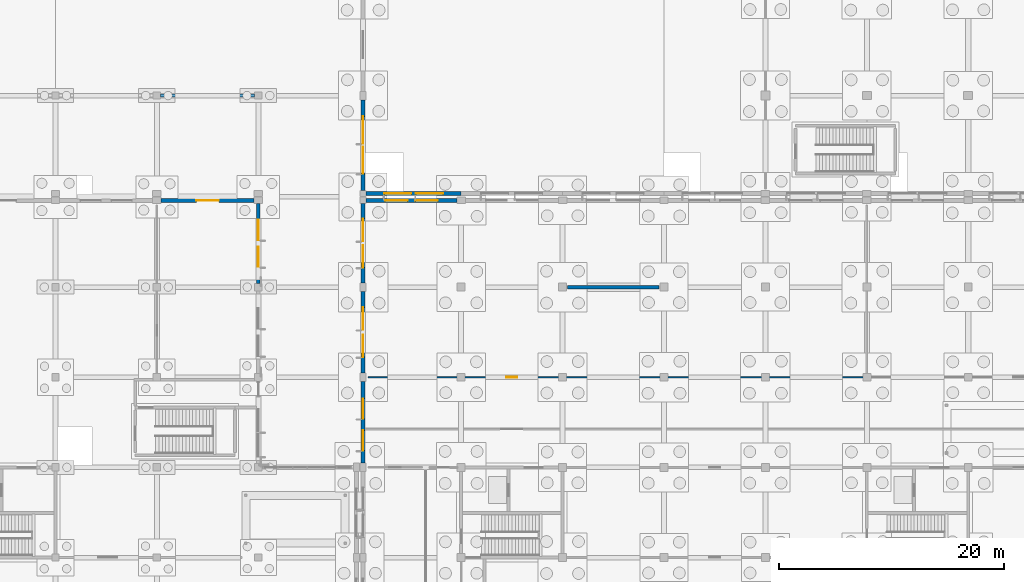
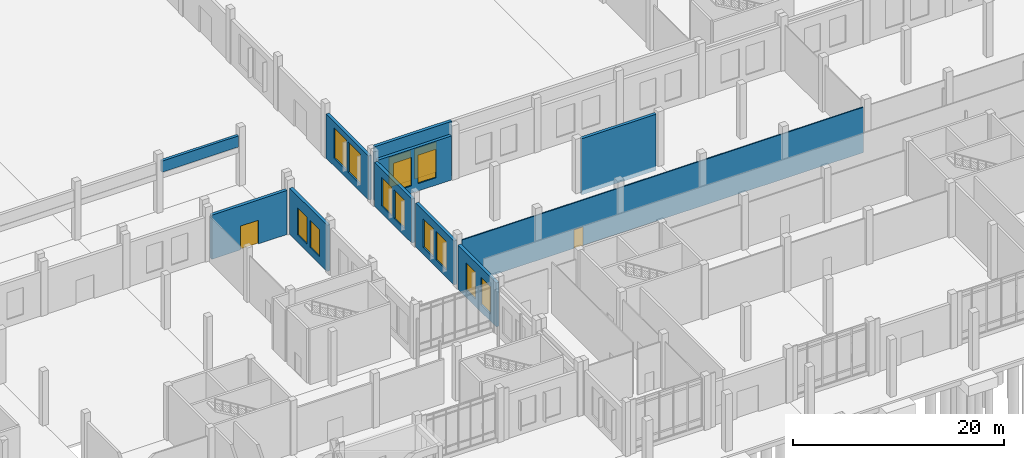
# One storey, part 66 of 99: 14 windows, 11 walls, 2 doors, 16 openings.
"""IFC4 building model written with IfcOpenShell, lengths in metres."""

from ifc_helpers import new_model, si_unit, direction, frame, frame_2d, origin, place, context, subcontext, project, spatial, rectangle, extrude, material, layer, layer_set, type_object, element, fill, save


model = new_model("IFC4")

# Units and contexts
model_context = context("Model", 3, precision=1e-05, world=origin(), true_north=direction((0.0, 1.0)))
body_context = subcontext(model_context, "Body", "Model", "MODEL_VIEW")
ifc_project = project(units=[si_unit("LENGTHUNIT", "METRE"), si_unit("AREAUNIT", "SQUARE_METRE"), si_unit("VOLUMEUNIT", "CUBIC_METRE"), si_unit("PLANEANGLEUNIT", "RADIAN"), si_unit("MASSUNIT", "GRAM", prefix="KILO")], contexts=[model_context])

# Site, building, storey
site_placement = place(None, origin())
site = spatial("IfcSite", under=ifc_project, at=site_placement, CompositionType="ELEMENT")
building_placement = place(site_placement, origin())
building = spatial("IfcBuilding", under=site, at=building_placement, Name="Zacnel Wholesale Market", CompositionType="ELEMENT")
storey_placement = place(building_placement, origin())
storey = spatial("IfcBuildingStorey", under=building, at=storey_placement, Name="L01", CompositionType="ELEMENT", Elevation=0.0)

# Wall
ifc_material_1 = material(Name="Precast concrete C40/50 (Cancun limestone aggregate)", Category="masonry")
ifc_layer_1 = layer(ifc_material_1, 0.300048828125)
ifc_layer_set_1 = layer_set([ifc_layer_1], Name="Precast concrete C40/50 (Cancun limestone aggregate)")
wall_type_1 = type_object("IfcWallType", Name="WL-EXT-LIME-300", PredefinedType="SOLIDWALL", material=ifc_layer_set_1)
wall_1_placement = place(storey_placement, frame((126.324951171875, 57.0, 4.449951171875), z_axis=(0.0, 0.0, 1.0), x_axis=(1.0, 0.0, 0.0)))
element("IfcWall", 1, at=wall_1_placement, inside=storey, type_object=wall_type_1, Name="Auction portico limestone architrave 06", PredefinedType="SOLIDWALL", context=body_context, shape_type="SweptSolid", body=[
    extrude(rectangle(XDim=8.35009765625, YDim=0.300048828125, at=frame_2d((4.175048828125, 0.0))), origin(), (0.0, 0.0, 1.0), 1.2900390625),
])

# Wall, opening, door
ifc_material_2 = material(Name="Precast concrete C40/50 (Cancun limestone aggregate)", Category="masonry")
ifc_layer_2 = layer(ifc_material_2, 0.340087890625)
ifc_layer_set_2 = layer_set([ifc_layer_2], Name="Precast concrete C40/50 (Cancun limestone aggregate)")
wall_type_2 = type_object("IfcWallType", Name="WL-EXT-LIME-340", PredefinedType="SOLIDWALL", material=ifc_layer_set_2)
wall_2_placement = place(storey_placement, frame((126.375, 47.699951171875, 0.0), z_axis=(0.0, 0.0, 1.0), x_axis=(1.0, 0.0, 0.0)))
wall_2 = element("IfcWall", 2, at=wall_2_placement, inside=storey, type_object=wall_type_2, Name="Exterior wall L01-0093", PredefinedType="SOLIDWALL", context=body_context, shape_type="SweptSolid", body=[
    extrude(rectangle(XDim=8.25, YDim=0.340087890625, at=frame_2d((4.125, 0.0))), origin(), (0.0, 0.0, 1.0), 5.10009765625),
])
opening_1_placement = place(wall_2_placement, frame((3.125, 0.0, 0.0)))
opening_1 = element("IfcOpeningElement", 3, at=opening_1_placement, cuts=wall_2, Name="Opening ED-02", PredefinedType="OPENING", context=body_context, shape_type="SweptSolid", body=[
    extrude(rectangle(XDim=2.0, YDim=2.75, at=frame_2d((1.0, 1.375))), frame((0.0, 0.179931640625, 0.0), z_axis=(0.0, -1.0, 0.0), x_axis=(1.0, 0.0, 0.0)), (0.0, 0.0, 1.0), 0.360107421875),
])
ifc_material_3 = material(Name="Anodised aluminium", Category="aluminium")
door_type_1 = type_object("IfcDoorType", Name="DR-EXT-PORTAL-2000", OperationType="NOTDEFINED", PredefinedType="DOOR", material=ifc_material_3)
door_1_placement = place(opening_1_placement, origin())
door_1 = element("IfcDoor", 4, at=door_1_placement, inside=storey, type_object=door_type_1, Name="Auction pavilion colonnade portal 025", OperationType="DOUBLE_DOOR_SINGLE_SWING", OverallHeight=2.75, OverallWidth=2.0, PredefinedType="DOOR", context=body_context, shape_type="SweptSolid", body=[
    extrude(rectangle(XDim=2.0, YDim=2.75, at=frame_2d((1.0, 1.375))), frame((0.0, 0.02490234375, 0.0), z_axis=(0.0, -1.0, 0.0), x_axis=(1.0, 0.0, 0.0)), (0.0, 0.0, 1.0), 0.050048828125),
])
fill(opening_1, door_1)

# Wall, openings, windows
wall_3_placement = place(storey_placement, frame((135.0, 40.324951171875, 0.0), z_axis=(0.0, 0.0, 1.0), x_axis=(0.0, 1.0, 0.0)))
wall_3 = element("IfcWall", 5, at=wall_3_placement, inside=storey, type_object=wall_type_2, Name="Exterior wall L01-0099", PredefinedType="SOLIDWALL", context=body_context, shape_type="SweptSolid", body=[
    extrude(rectangle(XDim=7.10009765625, YDim=0.340087890625, at=frame_2d((3.550048828125, 0.0))), origin(), (0.0, 0.0, 1.0), 5.35009765625),
])
opening_2_placement = place(wall_3_placement, frame((1.467041015625, 0.0, 0.85009765625)))
opening_2 = element("IfcOpeningElement", 6, at=opening_2_placement, cuts=wall_3, Name="Opening W-03", PredefinedType="OPENING", context=body_context, shape_type="SweptSolid", body=[
    extrude(rectangle(XDim=1.800048828125, YDim=3.14990234375, at=frame_2d((0.89990234375, 1.574951171875))), frame((0.0, 0.179931640625, 0.0), z_axis=(0.0, -1.0, 0.0), x_axis=(1.0, 0.0, 0.0)), (0.0, 0.0, 1.0), 0.360107421875),
])
opening_3_placement = place(wall_3_placement, frame((3.8330078125, 0.0, 0.85009765625)))
opening_3 = element("IfcOpeningElement", 7, at=opening_3_placement, cuts=wall_3, Name="Opening W-03", PredefinedType="OPENING", context=body_context, shape_type="SweptSolid", body=[
    extrude(rectangle(XDim=1.800048828125, YDim=3.14990234375, at=frame_2d((0.89990234375, 1.574951171875))), frame((0.0, 0.179931640625, 0.0), z_axis=(0.0, -1.0, 0.0), x_axis=(1.0, 0.0, 0.0)), (0.0, 0.0, 1.0), 0.360107421875),
])
ifc_material_4 = material(Name="Laminated hurricane-impact low-E insulated glass", Category="glass")
window_type_1 = type_object("IfcWindowType", Name="WIN-DEC-1800X3150", PartitioningType="DOUBLE_PANEL_VERTICAL", PredefinedType="WINDOW", material=ifc_material_4)
window_1_placement = place(opening_2_placement, origin())
window_1 = element("IfcWindow", 8, at=window_1_placement, inside=storey, type_object=window_type_1, Name="Window L01-0088", OverallHeight=3.14990234375, OverallWidth=1.800048828125, PartitioningType="DOUBLE_PANEL_VERTICAL", PredefinedType="WINDOW", context=body_context, shape_type="SweptSolid", body=[
    extrude(rectangle(XDim=1.800048828125, YDim=3.14990234375, at=frame_2d((0.89990234375, 1.574951171875))), frame((0.0, 0.030029296875, 0.0), z_axis=(0.0, -1.0, 0.0), x_axis=(1.0, 0.0, 0.0)), (0.0, 0.0, 1.0), 0.06005859375),
])
fill(opening_2, window_1)
window_2_placement = place(opening_3_placement, origin())
window_2 = element("IfcWindow", 9, at=window_2_placement, inside=storey, type_object=window_type_1, Name="Window L01-0089", OverallHeight=3.14990234375, OverallWidth=1.800048828125, PartitioningType="DOUBLE_PANEL_VERTICAL", PredefinedType="WINDOW", context=body_context, shape_type="SweptSolid", body=[
    extrude(rectangle(XDim=1.800048828125, YDim=3.14990234375, at=frame_2d((0.89990234375, 1.574951171875))), frame((0.0, 0.030029296875, 0.0), z_axis=(0.0, -1.0, 0.0), x_axis=(1.0, 0.0, 0.0)), (0.0, 0.0, 1.0), 0.06005859375),
])
fill(opening_3, window_2)

wall_4_placement = place(storey_placement, frame((144.574951171875, 47.699951171875, 0.0), z_axis=(0.0, 0.0, 1.0), x_axis=(1.0, 0.0, 0.0)))
wall_4 = element("IfcWall", 10, at=wall_4_placement, inside=storey, type_object=wall_type_2, Name="Exterior wall L01-0104", PredefinedType="SOLIDWALL", context=body_context, shape_type="SweptSolid", body=[
    extrude(rectangle(XDim=8.050048828125, YDim=0.340087890625, at=frame_2d((4.02490234375, 0.0))), origin(), (0.0, 0.0, 1.0), 5.10009765625),
])
opening_4_placement = place(wall_4_placement, frame((1.68310546875, 0.0, 0.85009765625)))
opening_4 = element("IfcOpeningElement", 11, at=opening_4_placement, cuts=wall_4, Name="Opening W-02", PredefinedType="OPENING", context=body_context, shape_type="SweptSolid", body=[
    extrude(rectangle(XDim=2.0, YDim=3.300048828125, at=frame_2d((1.0, 1.64990234375))), frame((0.0, 0.179931640625, 0.0), z_axis=(0.0, -1.0, 0.0), x_axis=(1.0, 0.0, 0.0)), (0.0, 0.0, 1.0), 0.360107421875),
])
opening_5_placement = place(wall_4_placement, frame((4.366943359375, 0.0, 0.85009765625)))
opening_5 = element("IfcOpeningElement", 12, at=opening_5_placement, cuts=wall_4, Name="Opening W-02", PredefinedType="OPENING", context=body_context, shape_type="SweptSolid", body=[
    extrude(rectangle(XDim=2.0, YDim=3.300048828125, at=frame_2d((1.0, 1.64990234375))), frame((0.0, 0.179931640625, 0.0), z_axis=(0.0, -1.0, 0.0), x_axis=(1.0, 0.0, 0.0)), (0.0, 0.0, 1.0), 0.360107421875),
])
ifc_material_5 = material(Name="Laminated hurricane-impact low-E insulated glass", Category="glass")
window_type_2 = type_object("IfcWindowType", Name="WIN-DEC-2000X3300", PartitioningType="DOUBLE_PANEL_VERTICAL", PredefinedType="WINDOW", material=ifc_material_5)
window_3_placement = place(opening_4_placement, origin())
window_3 = element("IfcWindow", 13, at=window_3_placement, inside=storey, type_object=window_type_2, Name="Window L01-0090", OverallHeight=3.300048828125, OverallWidth=2.0, PartitioningType="DOUBLE_PANEL_VERTICAL", PredefinedType="WINDOW", context=body_context, shape_type="SweptSolid", body=[
    extrude(rectangle(XDim=2.0, YDim=3.300048828125, at=frame_2d((1.0, 1.64990234375))), frame((0.0, 0.030029296875, 0.0), z_axis=(0.0, -1.0, 0.0), x_axis=(1.0, 0.0, 0.0)), (0.0, 0.0, 1.0), 0.06005859375),
])
fill(opening_4, window_3)
window_4_placement = place(opening_5_placement, origin())
window_4 = element("IfcWindow", 14, at=window_4_placement, inside=storey, type_object=window_type_2, Name="Window L01-0091", OverallHeight=3.300048828125, OverallWidth=2.0, PartitioningType="DOUBLE_PANEL_VERTICAL", PredefinedType="WINDOW", context=body_context, shape_type="SweptSolid", body=[
    extrude(rectangle(XDim=2.0, YDim=3.300048828125, at=frame_2d((1.0, 1.64990234375))), frame((0.0, 0.030029296875, 0.0), z_axis=(0.0, -1.0, 0.0), x_axis=(1.0, 0.0, 0.0)), (0.0, 0.0, 1.0), 0.06005859375),
])
fill(opening_5, window_4)

wall_5_placement = place(storey_placement, frame((144.300048828125, 24.375, 0.0), z_axis=(0.0, 0.0, 1.0), x_axis=(0.0, 1.0, 0.0)))
wall_5 = element("IfcWall", 15, at=wall_5_placement, inside=storey, type_object=wall_type_2, Name="Exterior wall L01-0115", PredefinedType="SOLIDWALL", context=body_context, shape_type="SweptSolid", body=[
    extrude(rectangle(XDim=7.25, YDim=0.340087890625, at=frame_2d((3.625, 0.0))), origin(), (0.0, 0.0, 1.0), 5.10009765625),
])
opening_6_placement = place(wall_5_placement, frame((1.112060546875, 0.0, 0.85009765625)))
opening_6 = element("IfcOpeningElement", 16, at=opening_6_placement, cuts=wall_5, Name="Opening W-03", PredefinedType="OPENING", context=body_context, shape_type="SweptSolid", body=[
    extrude(rectangle(XDim=1.800048828125, YDim=3.14990234375, at=frame_2d((0.89990234375, 1.574951171875))), frame((0.0, 0.179931640625, 0.0), z_axis=(0.0, -1.0, 0.0), x_axis=(1.0, 0.0, 0.0)), (0.0, 0.0, 1.0), 0.360107421875),
])
opening_7_placement = place(wall_5_placement, frame((3.93310546875, 0.0, 0.85009765625)))
opening_7 = element("IfcOpeningElement", 17, at=opening_7_placement, cuts=wall_5, Name="Opening W-03", PredefinedType="OPENING", context=body_context, shape_type="SweptSolid", body=[
    extrude(rectangle(XDim=1.800048828125, YDim=3.14990234375, at=frame_2d((0.89990234375, 1.574951171875))), frame((0.0, 0.179931640625, 0.0), z_axis=(0.0, -1.0, 0.0), x_axis=(1.0, 0.0, 0.0)), (0.0, 0.0, 1.0), 0.360107421875),
])
window_5_placement = place(opening_6_placement, origin())
window_5 = element("IfcWindow", 18, at=window_5_placement, inside=storey, type_object=window_type_1, Name="Window L01-0112", OverallHeight=3.14990234375, OverallWidth=1.800048828125, PartitioningType="DOUBLE_PANEL_VERTICAL", PredefinedType="WINDOW", context=body_context, shape_type="SweptSolid", body=[
    extrude(rectangle(XDim=1.800048828125, YDim=3.14990234375, at=frame_2d((0.89990234375, 1.574951171875))), frame((0.0, 0.030029296875, 0.0), z_axis=(0.0, -1.0, 0.0), x_axis=(1.0, 0.0, 0.0)), (0.0, 0.0, 1.0), 0.06005859375),
])
fill(opening_6, window_5)
window_6_placement = place(opening_7_placement, origin())
window_6 = element("IfcWindow", 19, at=window_6_placement, inside=storey, type_object=window_type_1, Name="Window L01-0113", OverallHeight=3.14990234375, OverallWidth=1.800048828125, PartitioningType="DOUBLE_PANEL_VERTICAL", PredefinedType="WINDOW", context=body_context, shape_type="SweptSolid", body=[
    extrude(rectangle(XDim=1.800048828125, YDim=3.14990234375, at=frame_2d((0.89990234375, 1.574951171875))), frame((0.0, 0.030029296875, 0.0), z_axis=(0.0, -1.0, 0.0), x_axis=(1.0, 0.0, 0.0)), (0.0, 0.0, 1.0), 0.06005859375),
])
fill(opening_7, window_6)

wall_6_placement = place(storey_placement, frame((144.300048828125, 32.375, 0.0), z_axis=(0.0, 0.0, 1.0), x_axis=(0.0, 1.0, 0.0)))
wall_6 = element("IfcWall", 20, at=wall_6_placement, inside=storey, type_object=wall_type_2, Name="Exterior wall L01-0116", PredefinedType="SOLIDWALL", context=body_context, shape_type="SweptSolid", body=[
    extrude(rectangle(XDim=7.25, YDim=0.340087890625, at=frame_2d((3.625, 0.0))), origin(), (0.0, 0.0, 1.0), 5.10009765625),
])
opening_8_placement = place(wall_6_placement, frame((1.4169921875, 0.0, 0.85009765625)))
opening_8 = element("IfcOpeningElement", 21, at=opening_8_placement, cuts=wall_6, Name="Opening W-02", PredefinedType="OPENING", context=body_context, shape_type="SweptSolid", body=[
    extrude(rectangle(XDim=2.0, YDim=3.300048828125, at=frame_2d((1.0, 1.64990234375))), frame((0.0, 0.179931640625, 0.0), z_axis=(0.0, -1.0, 0.0), x_axis=(1.0, 0.0, 0.0)), (0.0, 0.0, 1.0), 0.360107421875),
])
opening_9_placement = place(wall_6_placement, frame((3.8330078125, 0.0, 0.85009765625)))
opening_9 = element("IfcOpeningElement", 22, at=opening_9_placement, cuts=wall_6, Name="Opening W-02", PredefinedType="OPENING", context=body_context, shape_type="SweptSolid", body=[
    extrude(rectangle(XDim=2.0, YDim=3.300048828125, at=frame_2d((1.0, 1.64990234375))), frame((0.0, 0.179931640625, 0.0), z_axis=(0.0, -1.0, 0.0), x_axis=(1.0, 0.0, 0.0)), (0.0, 0.0, 1.0), 0.360107421875),
])
window_7_placement = place(opening_8_placement, origin())
window_7 = element("IfcWindow", 23, at=window_7_placement, inside=storey, type_object=window_type_2, Name="Window L01-0114", OverallHeight=3.300048828125, OverallWidth=2.0, PartitioningType="DOUBLE_PANEL_VERTICAL", PredefinedType="WINDOW", context=body_context, shape_type="SweptSolid", body=[
    extrude(rectangle(XDim=2.0, YDim=3.300048828125, at=frame_2d((1.0, 1.64990234375))), frame((0.0, 0.030029296875, 0.0), z_axis=(0.0, -1.0, 0.0), x_axis=(1.0, 0.0, 0.0)), (0.0, 0.0, 1.0), 0.06005859375),
])
fill(opening_8, window_7)
window_8_placement = place(opening_9_placement, origin())
window_8 = element("IfcWindow", 24, at=window_8_placement, inside=storey, type_object=window_type_2, Name="Window L01-0115", OverallHeight=3.300048828125, OverallWidth=2.0, PartitioningType="DOUBLE_PANEL_VERTICAL", PredefinedType="WINDOW", context=body_context, shape_type="SweptSolid", body=[
    extrude(rectangle(XDim=2.0, YDim=3.300048828125, at=frame_2d((1.0, 1.64990234375))), frame((0.0, 0.030029296875, 0.0), z_axis=(0.0, -1.0, 0.0), x_axis=(1.0, 0.0, 0.0)), (0.0, 0.0, 1.0), 0.06005859375),
])
fill(opening_9, window_8)

wall_7_placement = place(storey_placement, frame((144.300048828125, 40.375, 0.0), z_axis=(0.0, 0.0, 1.0), x_axis=(0.0, 1.0, 0.0)))
wall_7 = element("IfcWall", 25, at=wall_7_placement, inside=storey, type_object=wall_type_2, Name="Exterior wall L01-0117", PredefinedType="SOLIDWALL", context=body_context, shape_type="SweptSolid", body=[
    extrude(rectangle(XDim=7.050048828125, YDim=0.340087890625, at=frame_2d((3.52490234375, 0.0))), origin(), (0.0, 0.0, 1.0), 5.10009765625),
])
opening_10_placement = place(wall_7_placement, frame((1.35009765625, 0.0, 0.85009765625)))
opening_10 = element("IfcOpeningElement", 26, at=opening_10_placement, cuts=wall_7, Name="Opening W-02", PredefinedType="OPENING", context=body_context, shape_type="SweptSolid", body=[
    extrude(rectangle(XDim=2.0, YDim=3.300048828125, at=frame_2d((1.0, 1.64990234375))), frame((0.0, 0.179931640625, 0.0), z_axis=(0.0, -1.0, 0.0), x_axis=(1.0, 0.0, 0.0)), (0.0, 0.0, 1.0), 0.360107421875),
])
opening_11_placement = place(wall_7_placement, frame((3.699951171875, 0.0, 0.85009765625)))
opening_11 = element("IfcOpeningElement", 27, at=opening_11_placement, cuts=wall_7, Name="Opening W-02", PredefinedType="OPENING", context=body_context, shape_type="SweptSolid", body=[
    extrude(rectangle(XDim=2.0, YDim=3.300048828125, at=frame_2d((1.0, 1.64990234375))), frame((0.0, 0.179931640625, 0.0), z_axis=(0.0, -1.0, 0.0), x_axis=(1.0, 0.0, 0.0)), (0.0, 0.0, 1.0), 0.360107421875),
])
window_9_placement = place(opening_10_placement, origin())
window_9 = element("IfcWindow", 28, at=window_9_placement, inside=storey, type_object=window_type_2, Name="Window L01-0116", OverallHeight=3.300048828125, OverallWidth=2.0, PartitioningType="DOUBLE_PANEL_VERTICAL", PredefinedType="WINDOW", context=body_context, shape_type="SweptSolid", body=[
    extrude(rectangle(XDim=2.0, YDim=3.300048828125, at=frame_2d((1.0, 1.64990234375))), frame((0.0, 0.030029296875, 0.0), z_axis=(0.0, -1.0, 0.0), x_axis=(1.0, 0.0, 0.0)), (0.0, 0.0, 1.0), 0.06005859375),
])
fill(opening_10, window_9)
window_10_placement = place(opening_11_placement, origin())
window_10 = element("IfcWindow", 29, at=window_10_placement, inside=storey, type_object=window_type_2, Name="Window L01-0117", OverallHeight=3.300048828125, OverallWidth=2.0, PartitioningType="DOUBLE_PANEL_VERTICAL", PredefinedType="WINDOW", context=body_context, shape_type="SweptSolid", body=[
    extrude(rectangle(XDim=2.0, YDim=3.300048828125, at=frame_2d((1.0, 1.64990234375))), frame((0.0, 0.030029296875, 0.0), z_axis=(0.0, -1.0, 0.0), x_axis=(1.0, 0.0, 0.0)), (0.0, 0.0, 1.0), 0.06005859375),
])
fill(opening_11, window_10)

wall_8_placement = place(storey_placement, frame((144.574951171875, 48.300048828125, 0.0), z_axis=(0.0, 0.0, 1.0), x_axis=(1.0, 0.0, 0.0)))
wall_8 = element("IfcWall", 30, at=wall_8_placement, inside=storey, type_object=wall_type_2, Name="Exterior wall L01-0154", PredefinedType="SOLIDWALL", context=body_context, shape_type="SweptSolid", body=[
    extrude(rectangle(XDim=8.425048828125, YDim=0.340087890625, at=frame_2d((4.21240234375, 0.0))), origin(), (0.0, 0.0, 1.0), 6.300048828125),
])
opening_12_placement = place(wall_8_placement, frame((1.60791015625, 0.0, 0.89990234375)))
opening_12 = element("IfcOpeningElement", 31, at=opening_12_placement, cuts=wall_8, Name="Opening W-01", PredefinedType="OPENING", context=body_context, shape_type="SweptSolid", body=[
    extrude(rectangle(XDim=2.39990234375, YDim=3.5, at=frame_2d((1.199951171875, 1.75))), frame((0.0, 0.179931640625, 0.0), z_axis=(0.0, -1.0, 0.0), x_axis=(1.0, 0.0, 0.0)), (0.0, 0.0, 1.0), 0.360107421875),
])
opening_13_placement = place(wall_8_placement, frame((4.4169921875, 0.0, 0.89990234375)))
opening_13 = element("IfcOpeningElement", 32, at=opening_13_placement, cuts=wall_8, Name="Opening W-01", PredefinedType="OPENING", context=body_context, shape_type="SweptSolid", body=[
    extrude(rectangle(XDim=2.39990234375, YDim=3.5, at=frame_2d((1.199951171875, 1.75))), frame((0.0, 0.179931640625, 0.0), z_axis=(0.0, -1.0, 0.0), x_axis=(1.0, 0.0, 0.0)), (0.0, 0.0, 1.0), 0.360107421875),
])
ifc_material_6 = material(Name="Laminated hurricane-impact low-E insulated glass", Category="glass")
window_type_3 = type_object("IfcWindowType", Name="WIN-DEC-2400X3500", PartitioningType="TRIPLE_PANEL_VERTICAL", PredefinedType="WINDOW", material=ifc_material_6)
window_11_placement = place(opening_12_placement, origin())
window_11 = element("IfcWindow", 33, at=window_11_placement, inside=storey, type_object=window_type_3, Name="Window L01-0162", OverallHeight=3.5, OverallWidth=2.39990234375, PartitioningType="TRIPLE_PANEL_VERTICAL", PredefinedType="WINDOW", context=body_context, shape_type="SweptSolid", body=[
    extrude(rectangle(XDim=2.39990234375, YDim=3.5, at=frame_2d((1.199951171875, 1.75))), frame((0.0, 0.030029296875, 0.0), z_axis=(0.0, -1.0, 0.0), x_axis=(1.0, 0.0, 0.0)), (0.0, 0.0, 1.0), 0.06005859375),
])
fill(opening_12, window_11)
window_12_placement = place(opening_13_placement, origin())
window_12 = element("IfcWindow", 34, at=window_12_placement, inside=storey, type_object=window_type_3, Name="Window L01-0163", OverallHeight=3.5, OverallWidth=2.39990234375, PartitioningType="TRIPLE_PANEL_VERTICAL", PredefinedType="WINDOW", context=body_context, shape_type="SweptSolid", body=[
    extrude(rectangle(XDim=2.39990234375, YDim=3.5, at=frame_2d((1.199951171875, 1.75))), frame((0.0, 0.030029296875, 0.0), z_axis=(0.0, -1.0, 0.0), x_axis=(1.0, 0.0, 0.0)), (0.0, 0.0, 1.0), 0.06005859375),
])
fill(opening_13, window_12)

wall_9_placement = place(storey_placement, frame((144.300048828125, 48.574951171875, 0.0), z_axis=(0.0, 0.0, 1.0), x_axis=(0.0, 1.0, 0.0)))
wall_9 = element("IfcWall", 35, at=wall_9_placement, inside=storey, type_object=wall_type_2, Name="Exterior wall L01-0166", PredefinedType="SOLIDWALL", context=body_context, shape_type="SweptSolid", body=[
    extrude(rectangle(XDim=8.050048828125, YDim=0.340087890625, at=frame_2d((4.02490234375, 0.0))), origin(), (0.0, 0.0, 1.0), 5.10009765625),
])
opening_14_placement = place(wall_9_placement, frame((1.48291015625, 0.0, 0.89990234375)))
opening_14 = element("IfcOpeningElement", 36, at=opening_14_placement, cuts=wall_9, Name="Opening W-01", PredefinedType="OPENING", context=body_context, shape_type="SweptSolid", body=[
    extrude(rectangle(XDim=2.39990234375, YDim=3.5, at=frame_2d((1.199951171875, 1.75))), frame((0.0, 0.179931640625, 0.0), z_axis=(0.0, -1.0, 0.0), x_axis=(1.0, 0.0, 0.0)), (0.0, 0.0, 1.0), 0.360107421875),
])
opening_15_placement = place(wall_9_placement, frame((4.1669921875, 0.0, 0.89990234375)))
opening_15 = element("IfcOpeningElement", 37, at=opening_15_placement, cuts=wall_9, Name="Opening W-01", PredefinedType="OPENING", context=body_context, shape_type="SweptSolid", body=[
    extrude(rectangle(XDim=2.39990234375, YDim=3.5, at=frame_2d((1.199951171875, 1.75))), frame((0.0, 0.179931640625, 0.0), z_axis=(0.0, -1.0, 0.0), x_axis=(1.0, 0.0, 0.0)), (0.0, 0.0, 1.0), 0.360107421875),
])
window_13_placement = place(opening_14_placement, origin())
window_13 = element("IfcWindow", 38, at=window_13_placement, inside=storey, type_object=window_type_3, Name="Window L01-0186", OverallHeight=3.5, OverallWidth=2.39990234375, PartitioningType="TRIPLE_PANEL_VERTICAL", PredefinedType="WINDOW", context=body_context, shape_type="SweptSolid", body=[
    extrude(rectangle(XDim=2.39990234375, YDim=3.5, at=frame_2d((1.199951171875, 1.75))), frame((0.0, 0.030029296875, 0.0), z_axis=(0.0, -1.0, 0.0), x_axis=(1.0, 0.0, 0.0)), (0.0, 0.0, 1.0), 0.06005859375),
])
fill(opening_14, window_13)
window_14_placement = place(opening_15_placement, origin())
window_14 = element("IfcWindow", 39, at=window_14_placement, inside=storey, type_object=window_type_3, Name="Window L01-0187", OverallHeight=3.5, OverallWidth=2.39990234375, PartitioningType="TRIPLE_PANEL_VERTICAL", PredefinedType="WINDOW", context=body_context, shape_type="SweptSolid", body=[
    extrude(rectangle(XDim=2.39990234375, YDim=3.5, at=frame_2d((1.199951171875, 1.75))), frame((0.0, 0.030029296875, 0.0), z_axis=(0.0, -1.0, 0.0), x_axis=(1.0, 0.0, 0.0)), (0.0, 0.0, 1.0), 0.06005859375),
])
fill(opening_15, window_14)

# Wall, opening, door
ifc_material_7 = material(Name="Moisture-resistant gypsum board partition")
ifc_layer_3 = layer(ifc_material_7, 0.125)
ifc_layer_set_3 = layer_set([ifc_layer_3], Name="Moisture-resistant gypsum board partition")
wall_type_3 = type_object("IfcWallType", Name="WL-PART-GYP125", PredefinedType="PARTITIONING", material=ifc_layer_set_3)
wall_10_placement = place(storey_placement, frame((144.75, 32.0, 0.0), z_axis=(0.0, 0.0, 1.0), x_axis=(1.0, 0.0, 0.0)))
wall_10 = element("IfcWall", 40, at=wall_10_placement, inside=storey, type_object=wall_type_3, Name="Interior partition L01-0050", PredefinedType="PARTITIONING", context=body_context, shape_type="SweptSolid", body=[
    extrude(rectangle(XDim=43.949951171875, YDim=0.125, at=frame_2d((21.97509765625, 0.0))), origin(), (0.0, 0.0, 1.0), 5.25),
])
opening_16_placement = place(wall_10_placement, frame((12.25, 0.0, 0.0)))
opening_16 = element("IfcOpeningElement", 41, at=opening_16_placement, cuts=wall_10, Name="Opening ID-03", PredefinedType="OPENING", context=body_context, shape_type="SweptSolid", body=[
    extrude(rectangle(XDim=1.0, YDim=2.14990234375, at=frame_2d((0.5, 1.074951171875))), frame((0.0, 0.072509765625, 0.0), z_axis=(0.0, -1.0, 0.0), x_axis=(1.0, 0.0, 0.0)), (0.0, 0.0, 1.0), 0.14501953125),
])
ifc_material_8 = material(Name="Solid-core tropical hardwood door", Category="wood")
door_type_2 = type_object("IfcDoorType", Name="DR-OFF-SGL-1000", OperationType="NOTDEFINED", PredefinedType="DOOR", material=ifc_material_8)
door_2_placement = place(opening_16_placement, origin())
door_2 = element("IfcDoor", 42, at=door_2_placement, inside=storey, type_object=door_type_2, Name="Interior door L01-0041", OperationType="SINGLE_SWING_RIGHT", OverallHeight=2.14990234375, OverallWidth=1.0, PredefinedType="DOOR", context=body_context, shape_type="SweptSolid", body=[
    extrude(rectangle(XDim=1.0, YDim=2.14990234375, at=frame_2d((0.5, 1.074951171875))), frame((0.0, 0.02490234375, 0.0), z_axis=(0.0, -1.0, 0.0), x_axis=(1.0, 0.0, 0.0)), (0.0, 0.0, 1.0), 0.050048828125),
])
fill(opening_16, door_2)

# Wall
ifc_material_9 = material(Name="Concrete C40/50", Category="concrete")
ifc_layer_4 = layer(ifc_material_9, 0.330078125)
ifc_layer_set_4 = layer_set([ifc_layer_4], Name="Concrete C40/50")
wall_type_4 = type_object("IfcWallType", Name="WL-SHEAR-330", PredefinedType="SHEAR", material=ifc_layer_set_4)
wall_11_placement = place(storey_placement, frame((162.419921875, 40.0, -0.5), z_axis=(0.0, 0.0, 1.0), x_axis=(1.0, 0.0, 0.0)))
element("IfcWall", 43, at=wall_11_placement, inside=storey, type_object=wall_type_4, Name="Lateral RC shear wall 07", PredefinedType="SHEAR", context=body_context, shape_type="SweptSolid", body=[
    extrude(rectangle(XDim=8.16015625, YDim=0.330078125, at=frame_2d((4.080078125, 0.0))), origin(), (0.0, 0.0, 1.0), 6.5),
])

save(model, "model.ifc")
